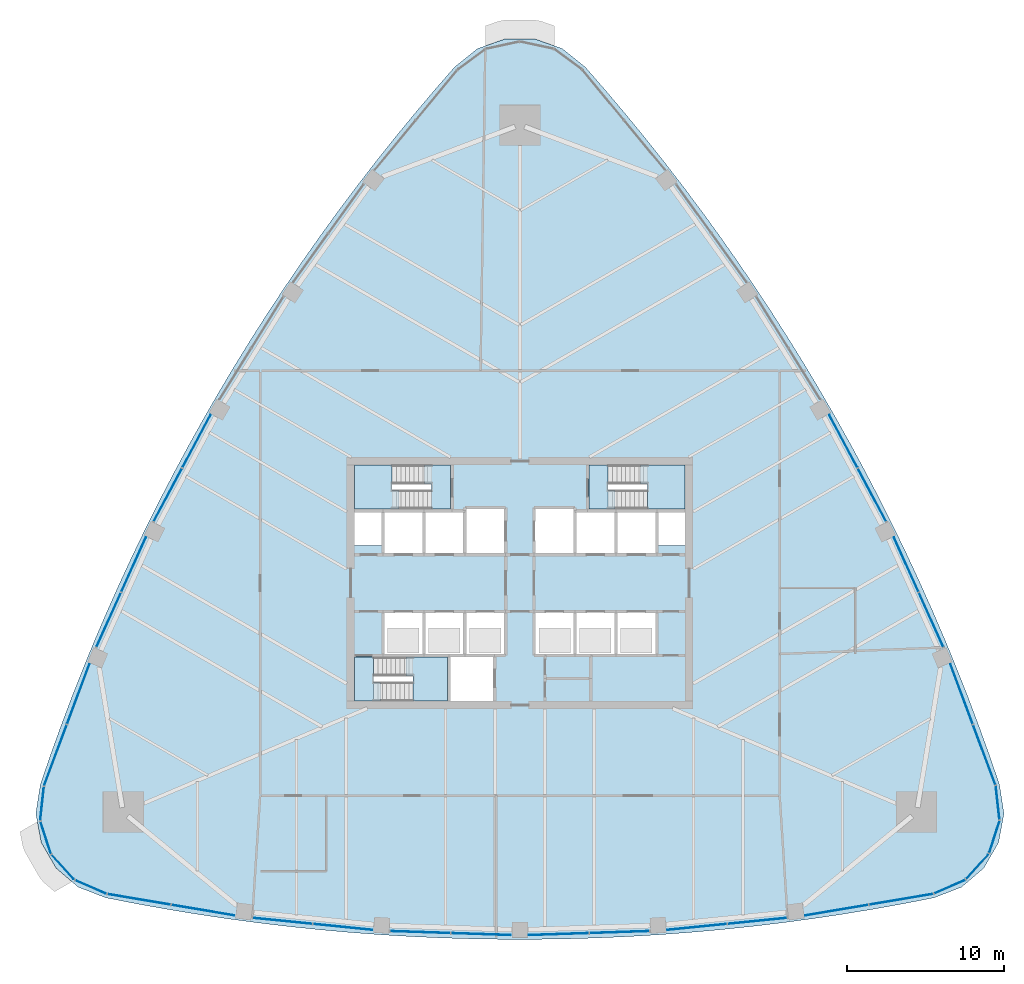
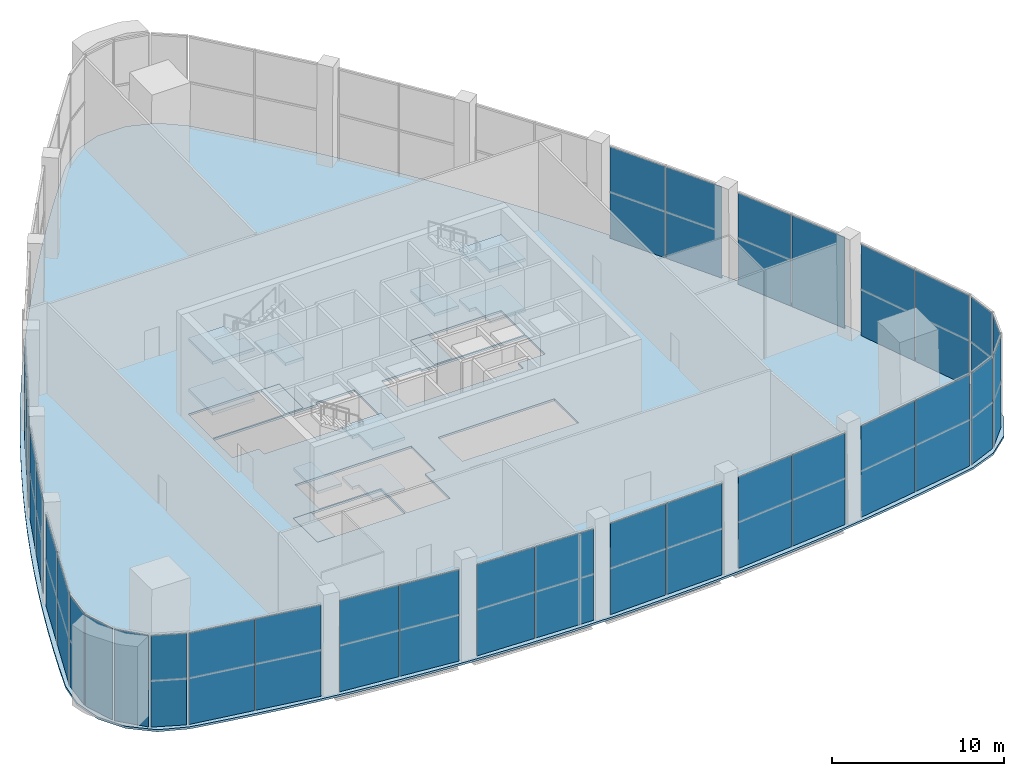
# One storey, part 8 of 15: 32 plates, 13 slabs, 23 elements without a shape of their own.
"""IFC4 building model written with IfcOpenShell, lengths in metres."""

from ifc_helpers import new_model, si_unit, direction, frame, origin, origin_2d, place, context, subcontext, project, spatial, polyline, rectangle, outline, extrude, material, layer, layer_set, type_object, element, aggregate, save


model = new_model("IFC4")

# Units and contexts
model_context = context("Model", 3, precision=1e-05, world=origin(), true_north=direction((0.0, 1.0)))
body_context = subcontext(model_context, "Body", "Model", "MODEL_VIEW")
ifc_project = project(units=[si_unit("LENGTHUNIT", "METRE"), si_unit("AREAUNIT", "SQUARE_METRE"), si_unit("VOLUMEUNIT", "CUBIC_METRE"), si_unit("PLANEANGLEUNIT", "RADIAN"), si_unit("MASSUNIT", "GRAM", prefix="KILO")], contexts=[model_context])

# Site, building, storey
site_placement = place(None, origin())
site = spatial("IfcSite", under=ifc_project, at=site_placement, CompositionType="ELEMENT")
building_placement = place(site_placement, origin())
building = spatial("IfcBuilding", under=site, at=building_placement, Name="Sierra Prisma Convention Tower", CompositionType="ELEMENT")
storey_placement = place(building_placement, frame((0.0, 0.0, 118.60009765625)))
storey = spatial("IfcBuildingStorey", under=building, at=storey_placement, Name="L25", CompositionType="ELEMENT", Elevation=118.60009765625)

# Curtain wall, plates
ifc_material_1 = material(Name="Aluminium and glass curtain wall", Category="aluminium")
ifc_layer_1 = layer(ifc_material_1, 0.179931640625)
ifc_layer_set_1 = layer_set([ifc_layer_1], Name="CW-4 Sky lobby double-height curtain wall")
curtain_wall_type = type_object("IfcCurtainWallType", Name="CW-4 Sky lobby double-height curtain wall", PredefinedType="NOTDEFINED", material=ifc_layer_set_1)
curtain_wall_1_placement = place(storey_placement, origin())
curtain_wall_1 = element("IfcCurtainWall", 1, at=curtain_wall_1_placement, inside=storey, type_object=curtain_wall_type, Name="CW-4 S1 L25", PredefinedType="NOTDEFINED")
ifc_material_2 = material(Name="Tinted glass bronze-grey IGU", Category="glass")
ifc_layer_2 = layer(ifc_material_2, 0.035888671875)
ifc_layer_set_2 = layer_set([ifc_layer_2], Name="CW-4 glass panel")
plate_type = type_object("IfcPlateType", Name="CW-4 glass panel", PredefinedType="CURTAIN_PANEL", material=ifc_layer_set_2)
plate_1_placement = place(storey_placement, frame((-24.19580078125, -20.08935546875, 0.0), z_axis=(0.0, 0.0, 1.0), x_axis=(0.986086656038, -0.166232087109, 0.0)))
plate_1 = element("IfcPlate", 2, at=plate_1_placement, type_object=plate_type, Name="CW-4 panel S1.1", PredefinedType="CURTAIN_PANEL", context=body_context, shape_type="SweptSolid", body=[
    extrude(rectangle(XDim=4.050537109375, YDim=0.035888671875, at=origin_2d()), origin(), (0.0, 0.0, 1.0), 6.47998046875),
])
plate_2_placement = place(storey_placement, frame((-20.132568359375, -20.7744140625, 0.0), z_axis=(0.0, 0.0, 1.0), x_axis=(0.986086656038, -0.166232087109, 0.0)))
plate_2 = element("IfcPlate", 3, at=plate_2_placement, type_object=plate_type, Name="CW-4 panel S1.2", PredefinedType="CURTAIN_PANEL", context=body_context, shape_type="SweptSolid", body=[
    extrude(rectangle(XDim=4.050537109375, YDim=0.035888671875, at=origin_2d()), origin(), (0.0, 0.0, 1.0), 6.47998046875),
])
aggregate(curtain_wall_1, [plate_1, plate_2])

curtain_wall_2_placement = place(storey_placement, origin())
curtain_wall_2 = element("IfcCurtainWall", 4, at=curtain_wall_2_placement, inside=storey, type_object=curtain_wall_type, Name="CW-4 S2 L25", PredefinedType="NOTDEFINED")
plate_3_placement = place(storey_placement, frame((-15.08203125, -21.456298828125, 0.0), z_axis=(0.0, 0.0, 1.0), x_axis=(0.994983737451, -0.100036804271, 0.0)))
plate_3 = element("IfcPlate", 5, at=plate_3_placement, type_object=plate_type, Name="CW-4 panel S2.1", PredefinedType="CURTAIN_PANEL", context=body_context, shape_type="SweptSolid", body=[
    extrude(rectangle(XDim=3.778076171875, YDim=0.035888671875, at=origin_2d()), origin(), (0.0, 0.0, 1.0), 6.47998046875),
])
plate_4_placement = place(storey_placement, frame((-11.253173828125, -21.841064453125, 0.0), z_axis=(0.0, 0.0, 1.0), x_axis=(0.994983737451, -0.100036804271, 0.0)))
plate_4 = element("IfcPlate", 6, at=plate_4_placement, type_object=plate_type, Name="CW-4 panel S2.2", PredefinedType="CURTAIN_PANEL", context=body_context, shape_type="SweptSolid", body=[
    extrude(rectangle(XDim=3.778076171875, YDim=0.035888671875, at=origin_2d()), origin(), (0.0, 0.0, 1.0), 6.47998046875),
])
aggregate(curtain_wall_2, [plate_3, plate_4])

curtain_wall_3_placement = place(storey_placement, origin())
curtain_wall_3 = element("IfcCurtainWall", 7, at=curtain_wall_3_placement, inside=storey, type_object=curtain_wall_type, Name="CW-4 S3 L25", PredefinedType="NOTDEFINED")
plate_5_placement = place(storey_placement, frame((-6.327880859375, -22.169921875, 0.0), z_axis=(0.0, 0.0, 1.0), x_axis=(0.999442222751, -0.03339525988, 0.0)))
plate_5 = element("IfcPlate", 8, at=plate_5_placement, type_object=plate_type, Name="CW-4 panel S3.1", PredefinedType="CURTAIN_PANEL", context=body_context, shape_type="SweptSolid", body=[
    extrude(rectangle(XDim=3.794189453125, YDim=0.035888671875, at=origin_2d()), origin(), (0.0, 0.0, 1.0), 6.47998046875),
])
plate_6_placement = place(storey_placement, frame((-2.4658203125, -22.299072265625, 0.0), z_axis=(0.0, 0.0, 1.0), x_axis=(0.999442222751, -0.03339525988, 0.0)))
plate_6 = element("IfcPlate", 9, at=plate_6_placement, type_object=plate_type, Name="CW-4 panel S3.2", PredefinedType="CURTAIN_PANEL", context=body_context, shape_type="SweptSolid", body=[
    extrude(rectangle(XDim=3.794189453125, YDim=0.035888671875, at=origin_2d()), origin(), (0.0, 0.0, 1.0), 6.47998046875),
])
aggregate(curtain_wall_3, [plate_5, plate_6])

curtain_wall_4_placement = place(storey_placement, origin())
curtain_wall_4 = element("IfcCurtainWall", 10, at=curtain_wall_4_placement, inside=storey, type_object=curtain_wall_type, Name="CW-4 S4 L25", PredefinedType="NOTDEFINED")
plate_7_placement = place(storey_placement, frame((2.4658203125, -22.299072265625, 0.0), z_axis=(0.0, 0.0, 1.0), x_axis=(0.999442222751, 0.03339525988, 0.0)))
plate_7 = element("IfcPlate", 11, at=plate_7_placement, type_object=plate_type, Name="CW-4 panel S4.1", PredefinedType="CURTAIN_PANEL", context=body_context, shape_type="SweptSolid", body=[
    extrude(rectangle(XDim=3.794189453125, YDim=0.035888671875, at=origin_2d()), origin(), (0.0, 0.0, 1.0), 6.47998046875),
])
plate_8_placement = place(storey_placement, frame((6.327880859375, -22.169921875, 0.0), z_axis=(0.0, 0.0, 1.0), x_axis=(0.999442222751, 0.03339525988, 0.0)))
plate_8 = element("IfcPlate", 12, at=plate_8_placement, type_object=plate_type, Name="CW-4 panel S4.2", PredefinedType="CURTAIN_PANEL", context=body_context, shape_type="SweptSolid", body=[
    extrude(rectangle(XDim=3.794189453125, YDim=0.035888671875, at=origin_2d()), origin(), (0.0, 0.0, 1.0), 6.47998046875),
])
aggregate(curtain_wall_4, [plate_7, plate_8])

curtain_wall_5_placement = place(storey_placement, origin())
curtain_wall_5 = element("IfcCurtainWall", 13, at=curtain_wall_5_placement, inside=storey, type_object=curtain_wall_type, Name="CW-4 S5 L25", PredefinedType="NOTDEFINED")
plate_9_placement = place(storey_placement, frame((11.253173828125, -21.841064453125, 0.0), z_axis=(0.0, 0.0, 1.0), x_axis=(0.994983737451, 0.100036804271, 0.0)))
plate_9 = element("IfcPlate", 14, at=plate_9_placement, type_object=plate_type, Name="CW-4 panel S5.1", PredefinedType="CURTAIN_PANEL", context=body_context, shape_type="SweptSolid", body=[
    extrude(rectangle(XDim=3.778076171875, YDim=0.035888671875, at=origin_2d()), origin(), (0.0, 0.0, 1.0), 6.47998046875),
])
plate_10_placement = place(storey_placement, frame((15.08203125, -21.456298828125, 0.0), z_axis=(0.0, 0.0, 1.0), x_axis=(0.994983737451, 0.100036804271, 0.0)))
plate_10 = element("IfcPlate", 15, at=plate_10_placement, type_object=plate_type, Name="CW-4 panel S5.2", PredefinedType="CURTAIN_PANEL", context=body_context, shape_type="SweptSolid", body=[
    extrude(rectangle(XDim=3.778076171875, YDim=0.035888671875, at=origin_2d()), origin(), (0.0, 0.0, 1.0), 6.47998046875),
])
aggregate(curtain_wall_5, [plate_9, plate_10])

curtain_wall_6_placement = place(storey_placement, origin())
curtain_wall_6 = element("IfcCurtainWall", 16, at=curtain_wall_6_placement, inside=storey, type_object=curtain_wall_type, Name="CW-4 S6 L25", PredefinedType="NOTDEFINED")
plate_11_placement = place(storey_placement, frame((20.132568359375, -20.7744140625, 0.0), z_axis=(0.0, 0.0, 1.0), x_axis=(0.986086656038, 0.166232087109, 0.0)))
plate_11 = element("IfcPlate", 17, at=plate_11_placement, type_object=plate_type, Name="CW-4 panel S6.1", PredefinedType="CURTAIN_PANEL", context=body_context, shape_type="SweptSolid", body=[
    extrude(rectangle(XDim=4.050537109375, YDim=0.035888671875, at=origin_2d()), origin(), (0.0, 0.0, 1.0), 6.47998046875),
])
plate_12_placement = place(storey_placement, frame((24.19580078125, -20.08935546875, 0.0), z_axis=(0.0, 0.0, 1.0), x_axis=(0.986086656038, 0.166232087109, 0.0)))
plate_12 = element("IfcPlate", 18, at=plate_12_placement, type_object=plate_type, Name="CW-4 panel S6.2", PredefinedType="CURTAIN_PANEL", context=body_context, shape_type="SweptSolid", body=[
    extrude(rectangle(XDim=4.050537109375, YDim=0.035888671875, at=origin_2d()), origin(), (0.0, 0.0, 1.0), 6.47998046875),
])
aggregate(curtain_wall_6, [plate_11, plate_12])

# Curtain wall, plate
curtain_wall_7_placement = place(storey_placement, origin())
curtain_wall_7 = element("IfcCurtainWall", 19, at=curtain_wall_7_placement, inside=storey, type_object=curtain_wall_type, Name="CW-4 SE1 L25", PredefinedType="NOTDEFINED")
plate_13_placement = place(storey_placement, frame((27.281005859375, -19.295654296875, 0.0), z_axis=(0.0, 0.0, 1.0), x_axis=(0.916279316699, 0.400539902868, 0.0)))
plate_13 = element("IfcPlate", 20, at=plate_13_placement, type_object=plate_type, Name="CW-4 panel SE1.1", PredefinedType="CURTAIN_PANEL", context=body_context, shape_type="SweptSolid", body=[
    extrude(rectangle(XDim=2.084228515625, YDim=0.035888671875, at=origin_2d()), origin(), (0.0, 0.0, 1.0), 6.47998046875),
])
aggregate(curtain_wall_7, [plate_13])

curtain_wall_8_placement = place(storey_placement, origin())
curtain_wall_8 = element("IfcCurtainWall", 21, at=curtain_wall_8_placement, inside=storey, type_object=curtain_wall_type, Name="CW-4 SE2 L25", PredefinedType="NOTDEFINED")
plate_14_placement = place(storey_placement, frame((29.046142578125, -18.025390625, 0.0), z_axis=(0.0, 0.0, 1.0), x_axis=(0.670806676968, 0.741632255323, 0.0)))
plate_14 = element("IfcPlate", 22, at=plate_14_placement, type_object=plate_type, Name="CW-4 panel SE2.1", PredefinedType="CURTAIN_PANEL", context=body_context, shape_type="SweptSolid", body=[
    extrude(rectangle(XDim=2.084228515625, YDim=0.035888671875, at=origin_2d()), origin(), (0.0, 0.0, 1.0), 6.47998046875),
])
aggregate(curtain_wall_8, [plate_14])

curtain_wall_9_placement = place(storey_placement, origin())
curtain_wall_9 = element("IfcCurtainWall", 23, at=curtain_wall_9_placement, inside=storey, type_object=curtain_wall_type, Name="CW-4 SE3 L25", PredefinedType="NOTDEFINED")
plate_15_placement = place(storey_placement, frame((30.133544921875, -16.14208984375, 0.0), z_axis=(0.0, 0.0, 1.0), x_axis=(0.306869034892, 0.951751750944, 0.0)))
plate_15 = element("IfcPlate", 24, at=plate_15_placement, type_object=plate_type, Name="CW-4 panel SE3.1", PredefinedType="CURTAIN_PANEL", context=body_context, shape_type="SweptSolid", body=[
    extrude(rectangle(XDim=2.084228515625, YDim=0.035888671875, at=origin_2d()), origin(), (0.0, 0.0, 1.0), 6.47998046875),
])
aggregate(curtain_wall_9, [plate_15])

curtain_wall_10_placement = place(storey_placement, origin())
curtain_wall_10 = element("IfcCurtainWall", 25, at=curtain_wall_10_placement, inside=storey, type_object=curtain_wall_type, Name="CW-4 SE4 L25", PredefinedType="NOTDEFINED")
plate_16_placement = place(storey_placement, frame((30.35107421875, -13.978271484375, 0.0), z_axis=(0.0, 0.0, 1.0), x_axis=(-0.111261927236, 0.993791116658, 0.0)))
plate_16 = element("IfcPlate", 26, at=plate_16_placement, type_object=plate_type, Name="CW-4 panel SE4.1", PredefinedType="CURTAIN_PANEL", context=body_context, shape_type="SweptSolid", body=[
    extrude(rectangle(XDim=2.084228515625, YDim=0.035888671875, at=origin_2d()), origin(), (0.0, 0.0, 1.0), 6.47998046875),
])
aggregate(curtain_wall_10, [plate_16])

# Curtain wall, plates
curtain_wall_11_placement = place(storey_placement, origin())
curtain_wall_11 = element("IfcCurtainWall", 27, at=curtain_wall_11_placement, inside=storey, type_object=curtain_wall_type, Name="CW-4 NE1 L25", PredefinedType="NOTDEFINED")
plate_17_placement = place(storey_placement, frame((29.495849609375, -10.90966796875, 0.0), z_axis=(0.0, 0.0, 1.0), x_axis=(-0.349082117659, 0.937092138016, 0.0)))
plate_17 = element("IfcPlate", 28, at=plate_17_placement, type_object=plate_type, Name="CW-4 panel NE1.1", PredefinedType="CURTAIN_PANEL", context=body_context, shape_type="SweptSolid", body=[
    extrude(rectangle(XDim=4.050537109375, YDim=0.035888671875, at=origin_2d()), origin(), (0.0, 0.0, 1.0), 6.47998046875),
])
plate_18_placement = place(storey_placement, frame((28.057373046875, -7.048095703125, 0.0), z_axis=(0.0, 0.0, 1.0), x_axis=(-0.349082117659, 0.937092138016, 0.0)))
plate_18 = element("IfcPlate", 29, at=plate_18_placement, type_object=plate_type, Name="CW-4 panel NE1.2", PredefinedType="CURTAIN_PANEL", context=body_context, shape_type="SweptSolid", body=[
    extrude(rectangle(XDim=4.050537109375, YDim=0.035888671875, at=origin_2d()), origin(), (0.0, 0.0, 1.0), 6.47998046875),
])
aggregate(curtain_wall_11, [plate_17, plate_18])

curtain_wall_12_placement = place(storey_placement, origin())
curtain_wall_12 = element("IfcCurtainWall", 30, at=curtain_wall_12_placement, inside=storey, type_object=curtain_wall_type, Name="CW-4 NE2 L25", PredefinedType="NOTDEFINED")
plate_19_placement = place(storey_placement, frame((26.12255859375, -2.333251953125, 0.0), z_axis=(0.0, 0.0, 1.0), x_axis=(-0.410857454913, 0.91169959512, 0.0)))
plate_19 = element("IfcPlate", 31, at=plate_19_placement, type_object=plate_type, Name="CW-4 panel NE2.1", PredefinedType="CURTAIN_PANEL", context=body_context, shape_type="SweptSolid", body=[
    extrude(rectangle(XDim=3.7783203125, YDim=0.035888671875, at=origin_2d()), origin(), (0.0, 0.0, 1.0), 6.47998046875),
])
plate_20_placement = place(storey_placement, frame((24.54150390625, 1.175048828125, 0.0), z_axis=(0.0, 0.0, 1.0), x_axis=(-0.410857454913, 0.91169959512, 0.0)))
plate_20 = element("IfcPlate", 32, at=plate_20_placement, type_object=plate_type, Name="CW-4 panel NE2.2", PredefinedType="CURTAIN_PANEL", context=body_context, shape_type="SweptSolid", body=[
    extrude(rectangle(XDim=3.7783203125, YDim=0.035888671875, at=origin_2d()), origin(), (0.0, 0.0, 1.0), 6.47998046875),
])
aggregate(curtain_wall_12, [plate_19, plate_20])

curtain_wall_13_placement = place(storey_placement, origin())
curtain_wall_13 = element("IfcCurtainWall", 33, at=curtain_wall_13_placement, inside=storey, type_object=curtain_wall_type, Name="CW-4 NE3 L25", PredefinedType="NOTDEFINED")
plate_21_placement = place(storey_placement, frame((22.36376953125, 5.604736328125, 0.0), z_axis=(0.0, 0.0, 1.0), x_axis=(-0.470799967953, 0.882239984457, 0.0)))
plate_21 = element("IfcPlate", 34, at=plate_21_placement, type_object=plate_type, Name="CW-4 panel NE3.1", PredefinedType="CURTAIN_PANEL", context=body_context, shape_type="SweptSolid", body=[
    extrude(rectangle(XDim=3.79443359375, YDim=0.035888671875, at=origin_2d()), origin(), (0.0, 0.0, 1.0), 6.47998046875),
])
plate_22_placement = place(storey_placement, frame((20.54443359375, 9.01416015625, 0.0), z_axis=(0.0, 0.0, 1.0), x_axis=(-0.470799967953, 0.882239984457, 0.0)))
plate_22 = element("IfcPlate", 35, at=plate_22_placement, type_object=plate_type, Name="CW-4 panel NE3.2", PredefinedType="CURTAIN_PANEL", context=body_context, shape_type="SweptSolid", body=[
    extrude(rectangle(XDim=3.79443359375, YDim=0.035888671875, at=origin_2d()), origin(), (0.0, 0.0, 1.0), 6.47998046875),
])
aggregate(curtain_wall_13, [plate_21, plate_22])

curtain_wall_14_placement = place(storey_placement, origin())
curtain_wall_14 = element("IfcCurtainWall", 36, at=curtain_wall_14_placement, inside=storey, type_object=curtain_wall_type, Name="CW-4 NW4 L25", PredefinedType="NOTDEFINED")
plate_23_placement = place(storey_placement, frame((-20.54443359375, 9.01416015625, 0.0), z_axis=(0.0, 0.0, 1.0), x_axis=(-0.470799967953, -0.882239984457, 0.0)))
plate_23 = element("IfcPlate", 37, at=plate_23_placement, type_object=plate_type, Name="CW-4 panel NW4.1", PredefinedType="CURTAIN_PANEL", context=body_context, shape_type="SweptSolid", body=[
    extrude(rectangle(XDim=3.794189453125, YDim=0.035888671875, at=origin_2d()), origin(), (0.0, 0.0, 1.0), 6.47998046875),
])
plate_24_placement = place(storey_placement, frame((-22.36376953125, 5.60498046875, 0.0), z_axis=(0.0, 0.0, 1.0), x_axis=(-0.470799967953, -0.882239984457, 0.0)))
plate_24 = element("IfcPlate", 38, at=plate_24_placement, type_object=plate_type, Name="CW-4 panel NW4.2", PredefinedType="CURTAIN_PANEL", context=body_context, shape_type="SweptSolid", body=[
    extrude(rectangle(XDim=3.794189453125, YDim=0.035888671875, at=origin_2d()), origin(), (0.0, 0.0, 1.0), 6.47998046875),
])
aggregate(curtain_wall_14, [plate_23, plate_24])

curtain_wall_15_placement = place(storey_placement, origin())
curtain_wall_15 = element("IfcCurtainWall", 39, at=curtain_wall_15_placement, inside=storey, type_object=curtain_wall_type, Name="CW-4 NW5 L25", PredefinedType="NOTDEFINED")
plate_25_placement = place(storey_placement, frame((-24.54150390625, 1.175048828125, 0.0), z_axis=(0.0, 0.0, 1.0), x_axis=(-0.410857454913, -0.91169959512, 0.0)))
plate_25 = element("IfcPlate", 40, at=plate_25_placement, type_object=plate_type, Name="CW-4 panel NW5.1", PredefinedType="CURTAIN_PANEL", context=body_context, shape_type="SweptSolid", body=[
    extrude(rectangle(XDim=3.778076171875, YDim=0.035888671875, at=origin_2d()), origin(), (0.0, 0.0, 1.0), 6.47998046875),
])
plate_26_placement = place(storey_placement, frame((-26.12255859375, -2.333251953125, 0.0), z_axis=(0.0, 0.0, 1.0), x_axis=(-0.410857454913, -0.91169959512, 0.0)))
plate_26 = element("IfcPlate", 41, at=plate_26_placement, type_object=plate_type, Name="CW-4 panel NW5.2", PredefinedType="CURTAIN_PANEL", context=body_context, shape_type="SweptSolid", body=[
    extrude(rectangle(XDim=3.778076171875, YDim=0.035888671875, at=origin_2d()), origin(), (0.0, 0.0, 1.0), 6.47998046875),
])
aggregate(curtain_wall_15, [plate_25, plate_26])

curtain_wall_16_placement = place(storey_placement, origin())
curtain_wall_16 = element("IfcCurtainWall", 42, at=curtain_wall_16_placement, inside=storey, type_object=curtain_wall_type, Name="CW-4 NW6 L25", PredefinedType="NOTDEFINED")
plate_27_placement = place(storey_placement, frame((-28.057373046875, -7.048095703125, 0.0), z_axis=(0.0, 0.0, 1.0), x_axis=(-0.349082117659, -0.937092138016, 0.0)))
plate_27 = element("IfcPlate", 43, at=plate_27_placement, type_object=plate_type, Name="CW-4 panel NW6.1", PredefinedType="CURTAIN_PANEL", context=body_context, shape_type="SweptSolid", body=[
    extrude(rectangle(XDim=4.050537109375, YDim=0.035888671875, at=origin_2d()), origin(), (0.0, 0.0, 1.0), 6.47998046875),
])
plate_28_placement = place(storey_placement, frame((-29.495849609375, -10.90966796875, 0.0), z_axis=(0.0, 0.0, 1.0), x_axis=(-0.349082117659, -0.937092138016, 0.0)))
plate_28 = element("IfcPlate", 44, at=plate_28_placement, type_object=plate_type, Name="CW-4 panel NW6.2", PredefinedType="CURTAIN_PANEL", context=body_context, shape_type="SweptSolid", body=[
    extrude(rectangle(XDim=4.050537109375, YDim=0.035888671875, at=origin_2d()), origin(), (0.0, 0.0, 1.0), 6.47998046875),
])
aggregate(curtain_wall_16, [plate_27, plate_28])

# Curtain wall, plate
curtain_wall_17_placement = place(storey_placement, origin())
curtain_wall_17 = element("IfcCurtainWall", 45, at=curtain_wall_17_placement, inside=storey, type_object=curtain_wall_type, Name="CW-4 SW1 L25", PredefinedType="NOTDEFINED")
plate_29_placement = place(storey_placement, frame((-30.35107421875, -13.978271484375, 0.0), z_axis=(0.0, 0.0, 1.0), x_axis=(-0.111261927236, -0.993791116658, 0.0)))
plate_29 = element("IfcPlate", 46, at=plate_29_placement, type_object=plate_type, Name="CW-4 panel SW1.1", PredefinedType="CURTAIN_PANEL", context=body_context, shape_type="SweptSolid", body=[
    extrude(rectangle(XDim=2.084228515625, YDim=0.035888671875, at=origin_2d()), origin(), (0.0, 0.0, 1.0), 6.47998046875),
])
aggregate(curtain_wall_17, [plate_29])

curtain_wall_18_placement = place(storey_placement, origin())
curtain_wall_18 = element("IfcCurtainWall", 47, at=curtain_wall_18_placement, inside=storey, type_object=curtain_wall_type, Name="CW-4 SW2 L25", PredefinedType="NOTDEFINED")
plate_30_placement = place(storey_placement, frame((-30.133544921875, -16.14208984375, 0.0), z_axis=(0.0, 0.0, 1.0), x_axis=(0.306869034892, -0.951751750944, 0.0)))
plate_30 = element("IfcPlate", 48, at=plate_30_placement, type_object=plate_type, Name="CW-4 panel SW2.1", PredefinedType="CURTAIN_PANEL", context=body_context, shape_type="SweptSolid", body=[
    extrude(rectangle(XDim=2.084228515625, YDim=0.035888671875, at=origin_2d()), origin(), (0.0, 0.0, 1.0), 6.47998046875),
])
aggregate(curtain_wall_18, [plate_30])

curtain_wall_19_placement = place(storey_placement, origin())
curtain_wall_19 = element("IfcCurtainWall", 49, at=curtain_wall_19_placement, inside=storey, type_object=curtain_wall_type, Name="CW-4 SW3 L25", PredefinedType="NOTDEFINED")
plate_31_placement = place(storey_placement, frame((-29.046142578125, -18.025390625, 0.0), z_axis=(0.0, 0.0, 1.0), x_axis=(0.670806676968, -0.741632255323, 0.0)))
plate_31 = element("IfcPlate", 50, at=plate_31_placement, type_object=plate_type, Name="CW-4 panel SW3.1", PredefinedType="CURTAIN_PANEL", context=body_context, shape_type="SweptSolid", body=[
    extrude(rectangle(XDim=2.084228515625, YDim=0.035888671875, at=origin_2d()), origin(), (0.0, 0.0, 1.0), 6.47998046875),
])
aggregate(curtain_wall_19, [plate_31])

curtain_wall_20_placement = place(storey_placement, origin())
curtain_wall_20 = element("IfcCurtainWall", 51, at=curtain_wall_20_placement, inside=storey, type_object=curtain_wall_type, Name="CW-4 SW4 L25", PredefinedType="NOTDEFINED")
plate_32_placement = place(storey_placement, frame((-27.281005859375, -19.295654296875, 0.0), z_axis=(0.0, 0.0, 1.0), x_axis=(0.916279316699, -0.400539902868, 0.0)))
plate_32 = element("IfcPlate", 52, at=plate_32_placement, type_object=plate_type, Name="CW-4 panel SW4.1", PredefinedType="CURTAIN_PANEL", context=body_context, shape_type="SweptSolid", body=[
    extrude(rectangle(XDim=2.084228515625, YDim=0.035888671875, at=origin_2d()), origin(), (0.0, 0.0, 1.0), 6.47998046875),
])
aggregate(curtain_wall_20, [plate_32])

# Slab
ifc_material_3 = material(Name="Concrete C35/45", Category="concrete")
ifc_layer_3 = layer(ifc_material_3, 0.14990234375)
ifc_layer_set_3 = layer_set([ifc_layer_3], Name="Composite floor slab 150")
slab_type_1 = type_object("IfcSlabType", Name="Composite floor slab 150", PredefinedType="FLOOR", material=ifc_layer_set_3)
slab_1_placement = place(storey_placement, frame((0.0, 0.0, -0.150146484375)))
element("IfcSlab", 53, at=slab_1_placement, inside=storey, type_object=slab_type_1, Name="Floor slab L25 floor", PredefinedType="FLOOR", context=body_context, shape_type="SweptSolid", body=[
    extrude(outline(polyline([(-26.311767578125, -19.986083984375), (-24.38623046875, -20.3623046875), (-22.455078125, -20.7099609375), (-20.51904296875, -21.029052734375), (-18.57861328125, -21.319091796875), (-16.6337890625, -21.58056640625), (-14.685546875, -21.81298828125), (-12.734130859375, -22.0166015625), (-10.77978515625, -22.191162109375), (-8.822998046875, -22.336669921875), (-6.8642578125, -22.453125), (-4.904296875, -22.54052734375), (-2.94287109375, -22.5986328125), (-0.98095703125, -22.627685546875), (0.98095703125, -22.627685546875), (2.94287109375, -22.5986328125), (4.904296875, -22.54052734375), (6.8642578125, -22.453125), (8.822998046875, -22.336669921875), (10.77978515625, -22.191162109375), (12.734130859375, -22.0166015625), (14.685546875, -21.81298828125), (16.6337890625, -21.58056640625), (18.57861328125, -21.319091796875), (20.51904296875, -21.029052734375), (22.455078125, -20.7099609375), (24.38623046875, -20.3623046875), (26.311767578125, -19.986083984375), (28.053955078125, -19.310791015625), (29.472900390625, -18.094970703125), (30.4072265625, -16.476806640625), (30.75048828125, -14.64013671875), (30.46435546875, -12.793701171875), (29.827392578125, -10.937744140625), (29.162841796875, -9.091552734375), (28.47119140625, -7.255615234375), (27.752197265625, -5.429931640625), (27.00634765625, -3.614990234375), (26.2333984375, -1.8115234375), (25.433837890625, -0.019775390625), (24.60791015625, 1.760009765625), (23.755615234375, 3.52734375), (22.877197265625, 5.28173828125), (21.97265625, 7.02294921875), (21.04248046875, 8.750732421875), (20.086669921875, 10.46435546875), (19.105712890625, 12.16357421875), (18.099609375, 13.847900390625), (17.068359375, 15.517333984375), (16.0126953125, 17.171142578125), (14.9326171875, 18.809326171875), (13.828125, 20.43115234375), (12.699951171875, 22.036376953125), (11.5478515625, 23.624755859375), (10.372314453125, 25.195556640625), (9.173583984375, 26.7490234375), (7.9521484375, 28.284423828125), (6.707763671875, 29.8017578125), (5.441162109375, 31.30029296875), (4.152587890625, 32.77978515625), (2.696533203125, 33.950927734375), (0.934326171875, 34.57177734375), (-0.934326171875, 34.57177734375), (-2.696533203125, 33.950927734375), (-4.152587890625, 32.77978515625), (-5.441162109375, 31.30029296875), (-6.707763671875, 29.8017578125), (-7.9521484375, 28.284423828125), (-9.173583984375, 26.7490234375), (-10.372314453125, 25.195556640625), (-11.5478515625, 23.624755859375), (-12.699951171875, 22.036376953125), (-13.828125, 20.43115234375), (-14.9326171875, 18.809326171875), (-16.0126953125, 17.171142578125), (-17.068359375, 15.517333984375), (-18.099609375, 13.847900390625), (-19.105712890625, 12.16357421875), (-20.086669921875, 10.46435546875), (-21.04248046875, 8.750732421875), (-21.97265625, 7.02294921875), (-22.877197265625, 5.28173828125), (-23.755615234375, 3.52734375), (-24.60791015625, 1.760009765625), (-25.433837890625, -0.019775390625), (-26.2333984375, -1.8115234375), (-27.00634765625, -3.614990234375), (-27.752197265625, -5.429931640625), (-28.47119140625, -7.255615234375), (-29.162841796875, -9.091552734375), (-29.827392578125, -10.937744140625), (-30.46435546875, -12.793701171875), (-30.75048828125, -14.64013671875), (-30.4072265625, -16.476806640625), (-29.472900390625, -18.094970703125), (-28.053955078125, -19.310791015625), (-26.311767578125, -19.986083984375)]), holes=[polyline([(-4.60009765625, -7.5), (-10.5, -7.5), (-10.5, -4.699951171875), (-4.60009765625, -4.699951171875), (-4.60009765625, -7.5)]), polyline([(-8.699951171875, -4.60009765625), (-8.699951171875, -1.800048828125), (-6.10009765625, -1.800048828125), (-3.5, -1.800048828125), (-0.89990234375, -1.800048828125), (-0.89990234375, -4.60009765625), (-1.60009765625, -4.60009765625), (-1.60009765625, -7.5), (-4.5, -7.5), (-4.5, -4.60009765625), (-6.10009765625, -4.60009765625), (-8.699951171875, -4.60009765625)]), polyline([(-10.5, 4.60009765625), (-8.699951171875, 4.60009765625), (-6.10009765625, 4.60009765625), (-3.5, 4.60009765625), (-3.5, 4.800048828125), (-0.89990234375, 4.800048828125), (-0.89990234375, 1.800048828125), (-3.5, 1.800048828125), (-6.10009765625, 1.800048828125), (-8.699951171875, 1.800048828125), (-8.699951171875, 2.39990234375), (-10.5, 2.39990234375), (-10.5, 4.60009765625)]), polyline([(-10.5, 4.699951171875), (-10.5, 7.5), (-4.39990234375, 7.5), (-4.39990234375, 4.699951171875), (-10.5, 4.699951171875)]), polyline([(6.10009765625, -1.800048828125), (8.699951171875, -1.800048828125), (8.699951171875, -4.60009765625), (6.10009765625, -4.60009765625), (3.5, -4.60009765625), (0.89990234375, -4.60009765625), (0.89990234375, -1.800048828125), (3.5, -1.800048828125), (6.10009765625, -1.800048828125)]), polyline([(8.699951171875, 4.60009765625), (10.5, 4.60009765625), (10.5, 2.39990234375), (8.699951171875, 2.39990234375), (8.699951171875, 1.800048828125), (6.10009765625, 1.800048828125), (3.5, 1.800048828125), (0.89990234375, 1.800048828125), (0.89990234375, 4.800048828125), (3.5, 4.800048828125), (3.5, 4.60009765625), (6.10009765625, 4.60009765625), (8.699951171875, 4.60009765625)]), polyline([(4.39990234375, 4.699951171875), (4.39990234375, 7.5), (10.5, 7.5), (10.5, 4.699951171875), (4.39990234375, 4.699951171875)])]), origin(), (0.0, 0.0, 1.0), 0.150146484375),
])

# Stair, slabs
ifc_material_4 = material(Name="Concrete C30/37", Category="concrete")
stair_type = type_object("IfcStairType", Name="Stair dog-leg 1200 RC", PredefinedType="HALF_TURN_STAIR", material=ifc_material_4)
stair_1_placement = place(storey_placement, origin())
stair_1 = element("IfcStair", 54, at=stair_1_placement, inside=storey, type_object=stair_type, Name="L25 S1", PredefinedType="HALF_TURN_STAIR")
ifc_material_5 = material(Name="Concrete C35/45", Category="concrete")
ifc_layer_4 = layer(ifc_material_5, 0.199951171875)
ifc_layer_set_4 = layer_set([ifc_layer_4], Name="Stair landing slab")
slab_type_2 = type_object("IfcSlabType", Name="Stair landing slab", PredefinedType="LANDING", material=ifc_layer_set_4)
slab_2_placement = place(storey_placement, frame((0.0, 0.0, 1.599853515625)))
slab_2 = element("IfcSlab", 55, at=slab_2_placement, type_object=slab_type_2, Name="S1 landing 1", PredefinedType="LANDING", context=body_context, shape_type="SweptSolid", body=[
    extrude(outline(polyline([(-4.60009765625, -4.699951171875), (-4.60009765625, -7.5), (-6.781982421875, -7.5), (-6.781982421875, -5.89990234375), (-7.22998046875, -5.89990234375), (-7.22998046875, -4.699951171875), (-4.60009765625, -4.699951171875)])), origin(), (0.0, 0.0, 1.0), 0.199951171875),
])
slab_3_placement = place(storey_placement, frame((0.0, 0.0, 3.39990234375)))
slab_3 = element("IfcSlab", 56, at=slab_3_placement, type_object=slab_type_2, Name="S1 landing 2", PredefinedType="LANDING", context=body_context, shape_type="SweptSolid", body=[
    extrude(outline(polyline([(-10.5, -7.5), (-10.5, -4.699951171875), (-9.298095703125, -4.699951171875), (-9.298095703125, -6.300048828125), (-8.85009765625, -6.300048828125), (-8.85009765625, -7.5), (-10.5, -7.5)])), origin(), (0.0, 0.0, 1.0), 0.199951171875),
])
slab_4_placement = place(storey_placement, frame((0.0, 0.0, 5.199951171875)))
slab_4 = element("IfcSlab", 57, at=slab_4_placement, type_object=slab_type_2, Name="S1 landing 3", PredefinedType="LANDING", context=body_context, shape_type="SweptSolid", body=[
    extrude(outline(polyline([(-4.60009765625, -4.699951171875), (-4.60009765625, -7.5), (-6.781982421875, -7.5), (-6.781982421875, -5.89990234375), (-7.22998046875, -5.89990234375), (-7.22998046875, -4.699951171875), (-4.60009765625, -4.699951171875)])), origin(), (0.0, 0.0, 1.0), 0.199951171875),
])
aggregate(stair_1, [slab_2, slab_3, slab_4])

# Slab
slab_5_placement = place(storey_placement, frame((0.0, 0.0, -0.2001953125)))
element("IfcSlab", 58, at=slab_5_placement, inside=storey, type_object=slab_type_2, Name="S1 floor landing L25", PredefinedType="LANDING", context=body_context, shape_type="SweptSolid", body=[
    extrude(outline(polyline([(-10.5, -7.5), (-9.298095703125, -7.5), (-9.298095703125, -4.699951171875), (-10.5, -4.699951171875), (-10.5, -7.5)])), origin(), (0.0, 0.0, 1.0), 0.2001953125),
])

# Stair, slabs
stair_2_placement = place(storey_placement, origin())
stair_2 = element("IfcStair", 59, at=stair_2_placement, inside=storey, type_object=stair_type, Name="L25 S3", PredefinedType="HALF_TURN_STAIR")
slab_6_placement = place(storey_placement, frame((0.0, 0.0, 1.599853515625)))
slab_6 = element("IfcSlab", 60, at=slab_6_placement, type_object=slab_type_2, Name="S3 landing 1", PredefinedType="LANDING", context=body_context, shape_type="SweptSolid", body=[
    extrude(outline(polyline([(-7.669921875, 5.89990234375), (-7.669921875, 4.699951171875), (-10.5, 4.699951171875), (-10.5, 7.5), (-8.117919921875, 7.5), (-8.117919921875, 5.89990234375), (-7.669921875, 5.89990234375)])), origin(), (0.0, 0.0, 1.0), 0.199951171875),
])
slab_7_placement = place(storey_placement, frame((0.0, 0.0, 3.39990234375)))
slab_7 = element("IfcSlab", 61, at=slab_7_placement, type_object=slab_type_2, Name="S3 landing 2", PredefinedType="LANDING", context=body_context, shape_type="SweptSolid", body=[
    extrude(outline(polyline([(-4.39990234375, 7.5), (-4.39990234375, 4.699951171875), (-5.60205078125, 4.699951171875), (-5.60205078125, 6.300048828125), (-6.050048828125, 6.300048828125), (-6.050048828125, 7.5), (-4.39990234375, 7.5)])), origin(), (0.0, 0.0, 1.0), 0.199951171875),
])
slab_8_placement = place(storey_placement, frame((0.0, 0.0, 5.199951171875)))
slab_8 = element("IfcSlab", 62, at=slab_8_placement, type_object=slab_type_2, Name="S3 landing 3", PredefinedType="LANDING", context=body_context, shape_type="SweptSolid", body=[
    extrude(outline(polyline([(-7.669921875, 5.89990234375), (-7.669921875, 4.699951171875), (-10.5, 4.699951171875), (-10.5, 7.5), (-8.117919921875, 7.5), (-8.117919921875, 5.89990234375), (-7.669921875, 5.89990234375)])), origin(), (0.0, 0.0, 1.0), 0.199951171875),
])
aggregate(stair_2, [slab_6, slab_7, slab_8])

# Slab
slab_9_placement = place(storey_placement, frame((0.0, 0.0, -0.2001953125)))
element("IfcSlab", 63, at=slab_9_placement, inside=storey, type_object=slab_type_2, Name="S3 floor landing L25", PredefinedType="LANDING", context=body_context, shape_type="SweptSolid", body=[
    extrude(outline(polyline([(-4.39990234375, 7.5), (-5.60205078125, 7.5), (-5.60205078125, 4.699951171875), (-4.39990234375, 4.699951171875), (-4.39990234375, 7.5)])), origin(), (0.0, 0.0, 1.0), 0.2001953125),
])

# Stair, slabs
stair_3_placement = place(storey_placement, origin())
stair_3 = element("IfcStair", 64, at=stair_3_placement, inside=storey, type_object=stair_type, Name="L25 S4", PredefinedType="HALF_TURN_STAIR")
slab_10_placement = place(storey_placement, frame((0.0, 0.0, 1.599853515625)))
slab_10 = element("IfcSlab", 65, at=slab_10_placement, type_object=slab_type_2, Name="S4 landing 1", PredefinedType="LANDING", context=body_context, shape_type="SweptSolid", body=[
    extrude(outline(polyline([(10.5, 7.5), (10.5, 4.699951171875), (8.117919921875, 4.699951171875), (8.117919921875, 6.300048828125), (7.669921875, 6.300048828125), (7.669921875, 7.5), (10.5, 7.5)])), origin(), (0.0, 0.0, 1.0), 0.199951171875),
])
slab_11_placement = place(storey_placement, frame((0.0, 0.0, 3.39990234375)))
slab_11 = element("IfcSlab", 66, at=slab_11_placement, type_object=slab_type_2, Name="S4 landing 2", PredefinedType="LANDING", context=body_context, shape_type="SweptSolid", body=[
    extrude(outline(polyline([(4.39990234375, 4.699951171875), (4.39990234375, 7.5), (5.60205078125, 7.5), (5.60205078125, 5.89990234375), (6.050048828125, 5.89990234375), (6.050048828125, 4.699951171875), (4.39990234375, 4.699951171875)])), origin(), (0.0, 0.0, 1.0), 0.199951171875),
])
slab_12_placement = place(storey_placement, frame((0.0, 0.0, 5.199951171875)))
slab_12 = element("IfcSlab", 67, at=slab_12_placement, type_object=slab_type_2, Name="S4 landing 3", PredefinedType="LANDING", context=body_context, shape_type="SweptSolid", body=[
    extrude(outline(polyline([(10.5, 7.5), (10.5, 4.699951171875), (8.117919921875, 4.699951171875), (8.117919921875, 6.300048828125), (7.669921875, 6.300048828125), (7.669921875, 7.5), (10.5, 7.5)])), origin(), (0.0, 0.0, 1.0), 0.199951171875),
])
aggregate(stair_3, [slab_10, slab_11, slab_12])

# Slab
slab_13_placement = place(storey_placement, frame((0.0, 0.0, -0.2001953125)))
element("IfcSlab", 68, at=slab_13_placement, inside=storey, type_object=slab_type_2, Name="S4 floor landing L25", PredefinedType="LANDING", context=body_context, shape_type="SweptSolid", body=[
    extrude(outline(polyline([(4.39990234375, 4.699951171875), (5.60205078125, 4.699951171875), (5.60205078125, 7.5), (4.39990234375, 7.5), (4.39990234375, 4.699951171875)])), origin(), (0.0, 0.0, 1.0), 0.2001953125),
])

save(model, "model.ifc")
